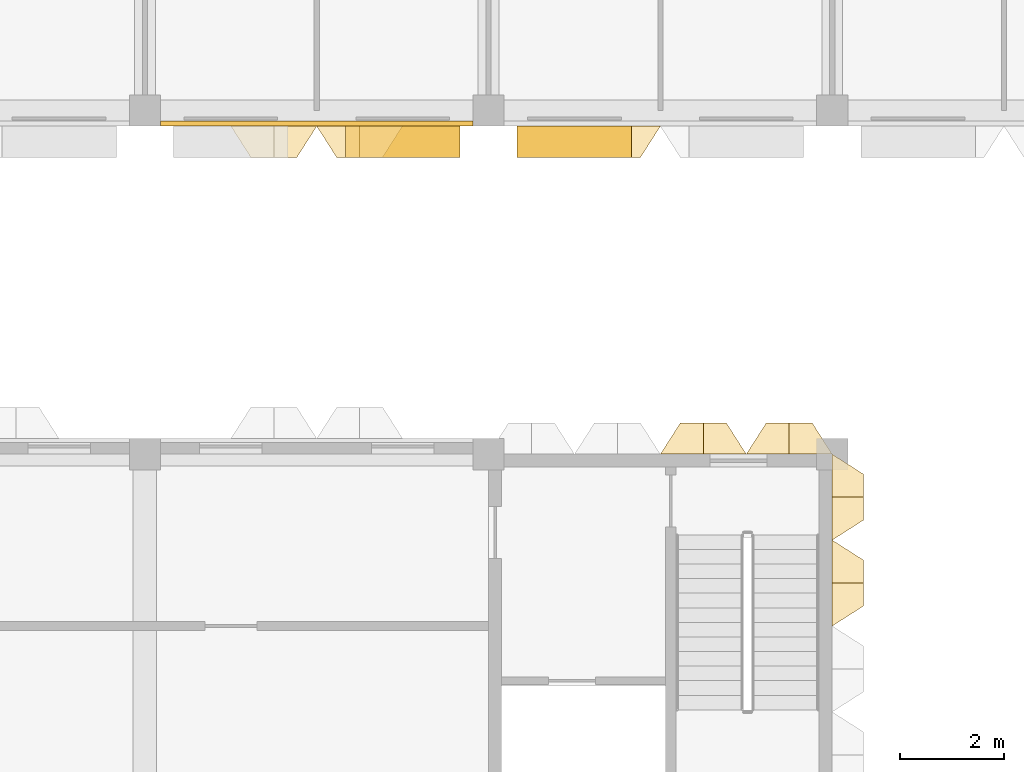
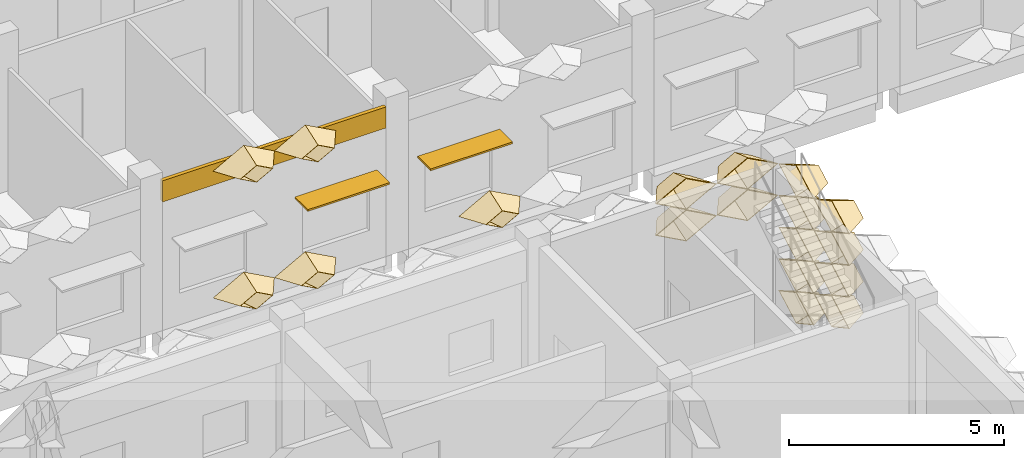
# One storey, part 71 of 87: 19 coverings, 2 shading devices.
"""IFC4 building model written with IfcOpenShell, lengths in metres."""

from ifc_helpers import new_model, entity, si_unit, direction, frame, frame_2d, origin, origin_2d, place, context, subcontext, project, spatial, rectangle, extrude, material, layer, layer_set, type_object, element, save


model = new_model("IFC4")

# Units and contexts
model_context = context("Model", 3, precision=1e-05, world=origin(), true_north=direction((0.0, 1.0)))
body_context = subcontext(model_context, "Body", "Model", "MODEL_VIEW")
ifc_project = project(units=[si_unit("LENGTHUNIT", "METRE"), si_unit("AREAUNIT", "SQUARE_METRE"), si_unit("VOLUMEUNIT", "CUBIC_METRE"), si_unit("PLANEANGLEUNIT", "RADIAN"), si_unit("MASSUNIT", "GRAM", prefix="KILO")], contexts=[model_context])

# Site, building, storey
site_placement = place(None, origin())
site = spatial("IfcSite", under=ifc_project, at=site_placement, CompositionType="ELEMENT")
building_placement = place(site_placement, origin())
building = spatial("IfcBuilding", under=site, at=building_placement, Name="Lantern Court Research Institute", CompositionType="ELEMENT")
storey_placement = place(building_placement, frame((0.0, 0.0, 5.39990234375)))
storey = spatial("IfcBuildingStorey", under=building, at=storey_placement, Name="L01", CompositionType="ELEMENT", Elevation=5.39990234375)

# Shading devices
ifc_material_1 = material(Name="Aluminium alloy 6063-T6", Category="aluminium")
ifc_layer_1 = layer(ifc_material_1, 0.050048828125)
ifc_layer_set_1 = layer_set([ifc_layer_1], Name="Aluminium alloy 6063-T6")
shading_device_type = type_object("IfcShadingDeviceType", Name="Brise-soleil blade 2200 x 600 x 50 aluminium", PredefinedType="USERDEFINED", material=ifc_layer_set_1)
for number, where, z_axis, x_axis, name in (
    (1, (18.14990234375, 81.89990234375, 2.5), (0.0, 0.0, 1.0), (-1.0, 0.0, 0.0), "Brise-soleil blade L01 S"),
    (2, (21.449951171875, 81.89990234375, 2.5), (0.0, 0.0, 1.0), (-1.0, 0.0, 0.0), "Brise-soleil blade L01 S"),
):
    element("IfcShadingDevice", number, at=place(storey_placement, frame(where, z_axis=z_axis, x_axis=x_axis)), inside=storey, type_object=shading_device_type, Name=name, ObjectType="LOUVRE", PredefinedType="USERDEFINED", context=body_context, shape_type="SweptSolid", body=[
        extrude(rectangle(XDim=2.199951171875, YDim=0.60009765625, at=origin_2d()), origin(), (0.0, 0.0, 1.0), 0.050048828125),
    ])

# Coverings
ifc_material_2 = material(Name="Aluminium composite panel with mineral wool insulation", Category="aluminium")
ifc_layer_2 = layer(ifc_material_2, 0.10009765625)
ifc_layer_set_2 = layer_set([ifc_layer_2], Name="Aluminium composite panel with mineral wool insulation")
covering_type_1 = type_object("IfcCoveringType", Name="Edge fascia panel 100 aluminium faced", PredefinedType="CLADDING", material=ifc_layer_set_2)
covering_1_placement = place(storey_placement, frame((19.5, 82.25, 3.650146484375), z_axis=(0.0, 0.0, 1.0), x_axis=(-1.0, 0.0, 0.0)))
element("IfcCovering", 3, at=covering_1_placement, inside=storey, type_object=covering_type_1, Name="Edge fascia V6S L01 03", PredefinedType="CLADDING", context=body_context, shape_type="SweptSolid", body=[
    extrude(rectangle(XDim=6.0, YDim=0.10009765625, at=frame_2d((3.0, 0.0))), origin(), (0.0, 0.0, 1.0), 0.599853515625),
])
ifc_material_3 = material(Name="Anodised aluminium", Category="aluminium")
ifc_layer_3 = layer(ifc_material_3, 0.01611328125)
ifc_layer_set_3 = layer_set([ifc_layer_3], Name="Anodised aluminium")
covering_type_2 = type_object("IfcCoveringType", Name="Fin cassette 1650 x 900 x 600 aluminium", PredefinedType="CLADDING", material=ifc_layer_set_3)
covering_2_placement = place(storey_placement, frame((26.39990234375, 75.074951171875, 0.4501953125), z_axis=(1.0, 0.0, 0.0), x_axis=(0.0, 1.0, 0.0)))
cartesian_point_1 = entity("IfcCartesianPoint", [0.824951171875, 0.0])
cartesian_point_2 = entity("IfcCartesianPoint", [0.79150390625, 0.0])
cartesian_point_3 = entity("IfcCartesianPoint", [0.44189453125, 0.0])
cartesian_point_4 = entity("IfcCartesianPoint", [0.43359375, 0.0])
element("IfcCovering", 4, at=covering_2_placement, inside=storey, type_object=covering_type_2, Name="Fin cassette V3E-L01 1.46", PredefinedType="CLADDING", context=body_context, shape_type="SweptSolid", body=[
    entity("IfcExtrudedAreaSolidTapered", entity("IfcArbitraryProfileDefWithVoids", "AREA", None, entity("IfcPolyline", [cartesian_point_1, entity("IfcCartesianPoint", [0.0, 0.449951171875]), entity("IfcCartesianPoint", [-0.824951171875, 0.0]), entity("IfcCartesianPoint", [0.0, -0.449951171875]), cartesian_point_1]), [entity("IfcPolyline", [cartesian_point_2, entity("IfcCartesianPoint", [0.0, 0.431884765625]), entity("IfcCartesianPoint", [-0.79150390625, 0.0]), entity("IfcCartesianPoint", [0.0, -0.431884765625]), cartesian_point_2])]), entity("IfcAxis2Placement3D", entity("IfcCartesianPoint", [0.0, 0.0, 0.0])), entity("IfcDirection", [0.0, 0.0, 1.0]), 0.60009765625, entity("IfcArbitraryProfileDefWithVoids", "AREA", None, entity("IfcPolyline", [cartesian_point_3, entity("IfcCartesianPoint", [0.0, 0.240966796875]), entity("IfcCartesianPoint", [-0.44189453125, 0.0]), entity("IfcCartesianPoint", [0.0, -0.240966796875]), cartesian_point_3]), [entity("IfcPolyline", [cartesian_point_4, entity("IfcCartesianPoint", [0.0, 0.236572265625]), entity("IfcCartesianPoint", [-0.43359375, 0.0]), entity("IfcCartesianPoint", [0.0, -0.236572265625]), cartesian_point_4])])),
])
covering_3_placement = place(storey_placement, frame((26.39990234375, 73.425048828125, 1.35009765625), z_axis=(1.0, 0.0, 0.0), x_axis=(0.0, 1.0, 0.0)))
cartesian_point_5 = entity("IfcCartesianPoint", [0.824951171875, 0.0])
cartesian_point_6 = entity("IfcCartesianPoint", [0.79150390625, 0.0])
cartesian_point_7 = entity("IfcCartesianPoint", [0.44189453125, 0.0])
cartesian_point_8 = entity("IfcCartesianPoint", [0.43359375, 0.0])
element("IfcCovering", 5, at=covering_3_placement, inside=storey, type_object=covering_type_2, Name="Fin cassette V3E-L01 2.45", PredefinedType="CLADDING", context=body_context, shape_type="SweptSolid", body=[
    entity("IfcExtrudedAreaSolidTapered", entity("IfcArbitraryProfileDefWithVoids", "AREA", None, entity("IfcPolyline", [cartesian_point_5, entity("IfcCartesianPoint", [0.0, 0.449951171875]), entity("IfcCartesianPoint", [-0.824951171875, 0.0]), entity("IfcCartesianPoint", [0.0, -0.449951171875]), cartesian_point_5]), [entity("IfcPolyline", [cartesian_point_6, entity("IfcCartesianPoint", [0.0, 0.431884765625]), entity("IfcCartesianPoint", [-0.79150390625, 0.0]), entity("IfcCartesianPoint", [0.0, -0.431884765625]), cartesian_point_6])]), entity("IfcAxis2Placement3D", entity("IfcCartesianPoint", [0.0, 0.0, 0.0])), entity("IfcDirection", [0.0, 0.0, 1.0]), 0.60009765625, entity("IfcArbitraryProfileDefWithVoids", "AREA", None, entity("IfcPolyline", [cartesian_point_7, entity("IfcCartesianPoint", [0.0, 0.240966796875]), entity("IfcCartesianPoint", [-0.44189453125, 0.0]), entity("IfcCartesianPoint", [0.0, -0.240966796875]), cartesian_point_7]), [entity("IfcPolyline", [cartesian_point_8, entity("IfcCartesianPoint", [0.0, 0.236572265625]), entity("IfcCartesianPoint", [-0.43359375, 0.0]), entity("IfcCartesianPoint", [0.0, -0.236572265625]), cartesian_point_8])])),
])
covering_4_placement = place(storey_placement, frame((26.39990234375, 75.074951171875, 1.35009765625), z_axis=(1.0, 0.0, 0.0), x_axis=(0.0, 1.0, 0.0)))
cartesian_point_9 = entity("IfcCartesianPoint", [0.824951171875, 0.0])
cartesian_point_10 = entity("IfcCartesianPoint", [0.79150390625, 0.0])
cartesian_point_11 = entity("IfcCartesianPoint", [0.44189453125, 0.0])
cartesian_point_12 = entity("IfcCartesianPoint", [0.43359375, 0.0])
element("IfcCovering", 6, at=covering_4_placement, inside=storey, type_object=covering_type_2, Name="Fin cassette V3E-L01 2.46", PredefinedType="CLADDING", context=body_context, shape_type="SweptSolid", body=[
    entity("IfcExtrudedAreaSolidTapered", entity("IfcArbitraryProfileDefWithVoids", "AREA", None, entity("IfcPolyline", [cartesian_point_9, entity("IfcCartesianPoint", [0.0, 0.449951171875]), entity("IfcCartesianPoint", [-0.824951171875, 0.0]), entity("IfcCartesianPoint", [0.0, -0.449951171875]), cartesian_point_9]), [entity("IfcPolyline", [cartesian_point_10, entity("IfcCartesianPoint", [0.0, 0.431884765625]), entity("IfcCartesianPoint", [-0.79150390625, 0.0]), entity("IfcCartesianPoint", [0.0, -0.431884765625]), cartesian_point_10])]), entity("IfcAxis2Placement3D", entity("IfcCartesianPoint", [0.0, 0.0, 0.0])), entity("IfcDirection", [0.0, 0.0, 1.0]), 0.60009765625, entity("IfcArbitraryProfileDefWithVoids", "AREA", None, entity("IfcPolyline", [cartesian_point_11, entity("IfcCartesianPoint", [0.0, 0.240966796875]), entity("IfcCartesianPoint", [-0.44189453125, 0.0]), entity("IfcCartesianPoint", [0.0, -0.240966796875]), cartesian_point_11]), [entity("IfcPolyline", [cartesian_point_12, entity("IfcCartesianPoint", [0.0, 0.236572265625]), entity("IfcCartesianPoint", [-0.43359375, 0.0]), entity("IfcCartesianPoint", [0.0, -0.236572265625]), cartesian_point_12])])),
])
covering_5_placement = place(storey_placement, frame((26.39990234375, 73.425048828125, 2.25), z_axis=(1.0, 0.0, 0.0), x_axis=(0.0, 1.0, 0.0)))
cartesian_point_13 = entity("IfcCartesianPoint", [0.824951171875, 0.0])
cartesian_point_14 = entity("IfcCartesianPoint", [0.79150390625, 0.0])
cartesian_point_15 = entity("IfcCartesianPoint", [0.44189453125, 0.0])
cartesian_point_16 = entity("IfcCartesianPoint", [0.43359375, 0.0])
element("IfcCovering", 7, at=covering_5_placement, inside=storey, type_object=covering_type_2, Name="Fin cassette V3E-L01 3.45", PredefinedType="CLADDING", context=body_context, shape_type="SweptSolid", body=[
    entity("IfcExtrudedAreaSolidTapered", entity("IfcArbitraryProfileDefWithVoids", "AREA", None, entity("IfcPolyline", [cartesian_point_13, entity("IfcCartesianPoint", [0.0, 0.449951171875]), entity("IfcCartesianPoint", [-0.824951171875, 0.0]), entity("IfcCartesianPoint", [0.0, -0.449951171875]), cartesian_point_13]), [entity("IfcPolyline", [cartesian_point_14, entity("IfcCartesianPoint", [0.0, 0.431884765625]), entity("IfcCartesianPoint", [-0.79150390625, 0.0]), entity("IfcCartesianPoint", [0.0, -0.431884765625]), cartesian_point_14])]), entity("IfcAxis2Placement3D", entity("IfcCartesianPoint", [0.0, 0.0, 0.0])), entity("IfcDirection", [0.0, 0.0, 1.0]), 0.60009765625, entity("IfcArbitraryProfileDefWithVoids", "AREA", None, entity("IfcPolyline", [cartesian_point_15, entity("IfcCartesianPoint", [0.0, 0.240966796875]), entity("IfcCartesianPoint", [-0.44189453125, 0.0]), entity("IfcCartesianPoint", [0.0, -0.240966796875]), cartesian_point_15]), [entity("IfcPolyline", [cartesian_point_16, entity("IfcCartesianPoint", [0.0, 0.236572265625]), entity("IfcCartesianPoint", [-0.43359375, 0.0]), entity("IfcCartesianPoint", [0.0, -0.236572265625]), cartesian_point_16])])),
])
covering_6_placement = place(storey_placement, frame((26.39990234375, 75.074951171875, 2.25), z_axis=(1.0, 0.0, 0.0), x_axis=(0.0, 1.0, 0.0)))
cartesian_point_17 = entity("IfcCartesianPoint", [0.824951171875, 0.0])
cartesian_point_18 = entity("IfcCartesianPoint", [0.79150390625, 0.0])
cartesian_point_19 = entity("IfcCartesianPoint", [0.44189453125, 0.0])
cartesian_point_20 = entity("IfcCartesianPoint", [0.43359375, 0.0])
element("IfcCovering", 8, at=covering_6_placement, inside=storey, type_object=covering_type_2, Name="Fin cassette V3E-L01 3.46", PredefinedType="CLADDING", context=body_context, shape_type="SweptSolid", body=[
    entity("IfcExtrudedAreaSolidTapered", entity("IfcArbitraryProfileDefWithVoids", "AREA", None, entity("IfcPolyline", [cartesian_point_17, entity("IfcCartesianPoint", [0.0, 0.449951171875]), entity("IfcCartesianPoint", [-0.824951171875, 0.0]), entity("IfcCartesianPoint", [0.0, -0.449951171875]), cartesian_point_17]), [entity("IfcPolyline", [cartesian_point_18, entity("IfcCartesianPoint", [0.0, 0.431884765625]), entity("IfcCartesianPoint", [-0.79150390625, 0.0]), entity("IfcCartesianPoint", [0.0, -0.431884765625]), cartesian_point_18])]), entity("IfcAxis2Placement3D", entity("IfcCartesianPoint", [0.0, 0.0, 0.0])), entity("IfcDirection", [0.0, 0.0, 1.0]), 0.60009765625, entity("IfcArbitraryProfileDefWithVoids", "AREA", None, entity("IfcPolyline", [cartesian_point_19, entity("IfcCartesianPoint", [0.0, 0.240966796875]), entity("IfcCartesianPoint", [-0.44189453125, 0.0]), entity("IfcCartesianPoint", [0.0, -0.240966796875]), cartesian_point_19]), [entity("IfcPolyline", [cartesian_point_20, entity("IfcCartesianPoint", [0.0, 0.236572265625]), entity("IfcCartesianPoint", [-0.43359375, 0.0]), entity("IfcCartesianPoint", [0.0, -0.236572265625]), cartesian_point_20])])),
])
covering_7_placement = place(storey_placement, frame((26.39990234375, 73.425048828125, 3.150146484375), z_axis=(1.0, 0.0, 0.0), x_axis=(0.0, 1.0, 0.0)))
cartesian_point_21 = entity("IfcCartesianPoint", [0.824951171875, 0.0])
cartesian_point_22 = entity("IfcCartesianPoint", [0.79150390625, 0.0])
cartesian_point_23 = entity("IfcCartesianPoint", [0.44189453125, 0.0])
cartesian_point_24 = entity("IfcCartesianPoint", [0.43359375, 0.0])
element("IfcCovering", 9, at=covering_7_placement, inside=storey, type_object=covering_type_2, Name="Fin cassette V3E-L01 4.45", PredefinedType="CLADDING", context=body_context, shape_type="SweptSolid", body=[
    entity("IfcExtrudedAreaSolidTapered", entity("IfcArbitraryProfileDefWithVoids", "AREA", None, entity("IfcPolyline", [cartesian_point_21, entity("IfcCartesianPoint", [0.0, 0.449951171875]), entity("IfcCartesianPoint", [-0.824951171875, 0.0]), entity("IfcCartesianPoint", [0.0, -0.449951171875]), cartesian_point_21]), [entity("IfcPolyline", [cartesian_point_22, entity("IfcCartesianPoint", [0.0, 0.431884765625]), entity("IfcCartesianPoint", [-0.79150390625, 0.0]), entity("IfcCartesianPoint", [0.0, -0.431884765625]), cartesian_point_22])]), entity("IfcAxis2Placement3D", entity("IfcCartesianPoint", [0.0, 0.0, 0.0])), entity("IfcDirection", [0.0, 0.0, 1.0]), 0.60009765625, entity("IfcArbitraryProfileDefWithVoids", "AREA", None, entity("IfcPolyline", [cartesian_point_23, entity("IfcCartesianPoint", [0.0, 0.240966796875]), entity("IfcCartesianPoint", [-0.44189453125, 0.0]), entity("IfcCartesianPoint", [0.0, -0.240966796875]), cartesian_point_23]), [entity("IfcPolyline", [cartesian_point_24, entity("IfcCartesianPoint", [0.0, 0.236572265625]), entity("IfcCartesianPoint", [-0.43359375, 0.0]), entity("IfcCartesianPoint", [0.0, -0.236572265625]), cartesian_point_24])])),
])
covering_8_placement = place(storey_placement, frame((26.39990234375, 75.074951171875, 3.150146484375), z_axis=(1.0, 0.0, 0.0), x_axis=(0.0, 1.0, 0.0)))
cartesian_point_25 = entity("IfcCartesianPoint", [0.824951171875, 0.0])
cartesian_point_26 = entity("IfcCartesianPoint", [0.79150390625, 0.0])
cartesian_point_27 = entity("IfcCartesianPoint", [0.44189453125, 0.0])
cartesian_point_28 = entity("IfcCartesianPoint", [0.43359375, 0.0])
element("IfcCovering", 10, at=covering_8_placement, inside=storey, type_object=covering_type_2, Name="Fin cassette V3E-L01 4.46", PredefinedType="CLADDING", context=body_context, shape_type="SweptSolid", body=[
    entity("IfcExtrudedAreaSolidTapered", entity("IfcArbitraryProfileDefWithVoids", "AREA", None, entity("IfcPolyline", [cartesian_point_25, entity("IfcCartesianPoint", [0.0, 0.449951171875]), entity("IfcCartesianPoint", [-0.824951171875, 0.0]), entity("IfcCartesianPoint", [0.0, -0.449951171875]), cartesian_point_25]), [entity("IfcPolyline", [cartesian_point_26, entity("IfcCartesianPoint", [0.0, 0.431884765625]), entity("IfcCartesianPoint", [-0.79150390625, 0.0]), entity("IfcCartesianPoint", [0.0, -0.431884765625]), cartesian_point_26])]), entity("IfcAxis2Placement3D", entity("IfcCartesianPoint", [0.0, 0.0, 0.0])), entity("IfcDirection", [0.0, 0.0, 1.0]), 0.60009765625, entity("IfcArbitraryProfileDefWithVoids", "AREA", None, entity("IfcPolyline", [cartesian_point_27, entity("IfcCartesianPoint", [0.0, 0.240966796875]), entity("IfcCartesianPoint", [-0.44189453125, 0.0]), entity("IfcCartesianPoint", [0.0, -0.240966796875]), cartesian_point_27]), [entity("IfcPolyline", [cartesian_point_28, entity("IfcCartesianPoint", [0.0, 0.236572265625]), entity("IfcCartesianPoint", [-0.43359375, 0.0]), entity("IfcCartesianPoint", [0.0, -0.236572265625]), cartesian_point_28])])),
])
covering_9_placement = place(storey_placement, frame((26.39990234375, 73.425048828125, 4.050048828125), z_axis=(1.0, 0.0, 0.0), x_axis=(0.0, 1.0, 0.0)))
cartesian_point_29 = entity("IfcCartesianPoint", [0.824951171875, 0.0])
cartesian_point_30 = entity("IfcCartesianPoint", [0.79150390625, 0.0])
cartesian_point_31 = entity("IfcCartesianPoint", [0.44189453125, 0.0])
cartesian_point_32 = entity("IfcCartesianPoint", [0.43359375, 0.0])
element("IfcCovering", 11, at=covering_9_placement, inside=storey, type_object=covering_type_2, Name="Fin cassette V3E-L01 5.45", PredefinedType="CLADDING", context=body_context, shape_type="SweptSolid", body=[
    entity("IfcExtrudedAreaSolidTapered", entity("IfcArbitraryProfileDefWithVoids", "AREA", None, entity("IfcPolyline", [cartesian_point_29, entity("IfcCartesianPoint", [0.0, 0.449951171875]), entity("IfcCartesianPoint", [-0.824951171875, 0.0]), entity("IfcCartesianPoint", [0.0, -0.449951171875]), cartesian_point_29]), [entity("IfcPolyline", [cartesian_point_30, entity("IfcCartesianPoint", [0.0, 0.431884765625]), entity("IfcCartesianPoint", [-0.79150390625, 0.0]), entity("IfcCartesianPoint", [0.0, -0.431884765625]), cartesian_point_30])]), entity("IfcAxis2Placement3D", entity("IfcCartesianPoint", [0.0, 0.0, 0.0])), entity("IfcDirection", [0.0, 0.0, 1.0]), 0.60009765625, entity("IfcArbitraryProfileDefWithVoids", "AREA", None, entity("IfcPolyline", [cartesian_point_31, entity("IfcCartesianPoint", [0.0, 0.240966796875]), entity("IfcCartesianPoint", [-0.44189453125, 0.0]), entity("IfcCartesianPoint", [0.0, -0.240966796875]), cartesian_point_31]), [entity("IfcPolyline", [cartesian_point_32, entity("IfcCartesianPoint", [0.0, 0.236572265625]), entity("IfcCartesianPoint", [-0.43359375, 0.0]), entity("IfcCartesianPoint", [0.0, -0.236572265625]), cartesian_point_32])])),
])
covering_10_placement = place(storey_placement, frame((26.39990234375, 75.074951171875, 4.050048828125), z_axis=(1.0, 0.0, 0.0), x_axis=(0.0, 1.0, 0.0)))
cartesian_point_33 = entity("IfcCartesianPoint", [0.824951171875, 0.0])
cartesian_point_34 = entity("IfcCartesianPoint", [0.79150390625, 0.0])
cartesian_point_35 = entity("IfcCartesianPoint", [0.44189453125, 0.0])
cartesian_point_36 = entity("IfcCartesianPoint", [0.43359375, 0.0])
element("IfcCovering", 12, at=covering_10_placement, inside=storey, type_object=covering_type_2, Name="Fin cassette V3E-L01 5.46", PredefinedType="CLADDING", context=body_context, shape_type="SweptSolid", body=[
    entity("IfcExtrudedAreaSolidTapered", entity("IfcArbitraryProfileDefWithVoids", "AREA", None, entity("IfcPolyline", [cartesian_point_33, entity("IfcCartesianPoint", [0.0, 0.449951171875]), entity("IfcCartesianPoint", [-0.824951171875, 0.0]), entity("IfcCartesianPoint", [0.0, -0.449951171875]), cartesian_point_33]), [entity("IfcPolyline", [cartesian_point_34, entity("IfcCartesianPoint", [0.0, 0.431884765625]), entity("IfcCartesianPoint", [-0.79150390625, 0.0]), entity("IfcCartesianPoint", [0.0, -0.431884765625]), cartesian_point_34])]), entity("IfcAxis2Placement3D", entity("IfcCartesianPoint", [0.0, 0.0, 0.0])), entity("IfcDirection", [0.0, 0.0, 1.0]), 0.60009765625, entity("IfcArbitraryProfileDefWithVoids", "AREA", None, entity("IfcPolyline", [cartesian_point_35, entity("IfcCartesianPoint", [0.0, 0.240966796875]), entity("IfcCartesianPoint", [-0.44189453125, 0.0]), entity("IfcCartesianPoint", [0.0, -0.240966796875]), cartesian_point_35]), [entity("IfcPolyline", [cartesian_point_36, entity("IfcCartesianPoint", [0.0, 0.236572265625]), entity("IfcCartesianPoint", [-0.43359375, 0.0]), entity("IfcCartesianPoint", [0.0, -0.236572265625]), cartesian_point_36])])),
])
covering_11_placement = place(storey_placement, frame((23.925048828125, 75.89990234375, 3.150146484375), z_axis=(0.0, 1.0, 0.0), x_axis=(-1.0, 0.0, 0.0)))
cartesian_point_37 = entity("IfcCartesianPoint", [0.824951171875, 0.0])
cartesian_point_38 = entity("IfcCartesianPoint", [0.79150390625, 0.0])
cartesian_point_39 = entity("IfcCartesianPoint", [0.44189453125, 0.0])
cartesian_point_40 = entity("IfcCartesianPoint", [0.43359375, 0.0])
element("IfcCovering", 13, at=covering_11_placement, inside=storey, type_object=covering_type_2, Name="Fin cassette V3N-L01 4.15", PredefinedType="CLADDING", context=body_context, shape_type="SweptSolid", body=[
    entity("IfcExtrudedAreaSolidTapered", entity("IfcArbitraryProfileDefWithVoids", "AREA", None, entity("IfcPolyline", [cartesian_point_37, entity("IfcCartesianPoint", [0.0, 0.449951171875]), entity("IfcCartesianPoint", [-0.824951171875, 0.0]), entity("IfcCartesianPoint", [0.0, -0.449951171875]), cartesian_point_37]), [entity("IfcPolyline", [cartesian_point_38, entity("IfcCartesianPoint", [0.0, 0.431884765625]), entity("IfcCartesianPoint", [-0.79150390625, 0.0]), entity("IfcCartesianPoint", [0.0, -0.431884765625]), cartesian_point_38])]), entity("IfcAxis2Placement3D", entity("IfcCartesianPoint", [0.0, 0.0, 0.0])), entity("IfcDirection", [0.0, 0.0, 1.0]), 0.60009765625, entity("IfcArbitraryProfileDefWithVoids", "AREA", None, entity("IfcPolyline", [cartesian_point_39, entity("IfcCartesianPoint", [0.0, 0.240966796875]), entity("IfcCartesianPoint", [-0.44189453125, 0.0]), entity("IfcCartesianPoint", [0.0, -0.240966796875]), cartesian_point_39]), [entity("IfcPolyline", [cartesian_point_40, entity("IfcCartesianPoint", [0.0, 0.236572265625]), entity("IfcCartesianPoint", [-0.43359375, 0.0]), entity("IfcCartesianPoint", [0.0, -0.236572265625]), cartesian_point_40])])),
])
covering_12_placement = place(storey_placement, frame((25.574951171875, 75.89990234375, 3.150146484375), z_axis=(0.0, 1.0, 0.0), x_axis=(-1.0, 0.0, 0.0)))
cartesian_point_41 = entity("IfcCartesianPoint", [0.824951171875, 0.0])
cartesian_point_42 = entity("IfcCartesianPoint", [0.79150390625, 0.0])
cartesian_point_43 = entity("IfcCartesianPoint", [0.44189453125, 0.0])
cartesian_point_44 = entity("IfcCartesianPoint", [0.43359375, 0.0])
element("IfcCovering", 14, at=covering_12_placement, inside=storey, type_object=covering_type_2, Name="Fin cassette V3N-L01 4.16", PredefinedType="CLADDING", context=body_context, shape_type="SweptSolid", body=[
    entity("IfcExtrudedAreaSolidTapered", entity("IfcArbitraryProfileDefWithVoids", "AREA", None, entity("IfcPolyline", [cartesian_point_41, entity("IfcCartesianPoint", [0.0, 0.449951171875]), entity("IfcCartesianPoint", [-0.824951171875, 0.0]), entity("IfcCartesianPoint", [0.0, -0.449951171875]), cartesian_point_41]), [entity("IfcPolyline", [cartesian_point_42, entity("IfcCartesianPoint", [0.0, 0.431884765625]), entity("IfcCartesianPoint", [-0.79150390625, 0.0]), entity("IfcCartesianPoint", [0.0, -0.431884765625]), cartesian_point_42])]), entity("IfcAxis2Placement3D", entity("IfcCartesianPoint", [0.0, 0.0, 0.0])), entity("IfcDirection", [0.0, 0.0, 1.0]), 0.60009765625, entity("IfcArbitraryProfileDefWithVoids", "AREA", None, entity("IfcPolyline", [cartesian_point_43, entity("IfcCartesianPoint", [0.0, 0.240966796875]), entity("IfcCartesianPoint", [-0.44189453125, 0.0]), entity("IfcCartesianPoint", [0.0, -0.240966796875]), cartesian_point_43]), [entity("IfcPolyline", [cartesian_point_44, entity("IfcCartesianPoint", [0.0, 0.236572265625]), entity("IfcCartesianPoint", [-0.43359375, 0.0]), entity("IfcCartesianPoint", [0.0, -0.236572265625]), cartesian_point_44])])),
])
covering_13_placement = place(storey_placement, frame((23.925048828125, 75.89990234375, 4.050048828125), z_axis=(0.0, 1.0, 0.0), x_axis=(-1.0, 0.0, 0.0)))
cartesian_point_45 = entity("IfcCartesianPoint", [0.824951171875, 0.0])
cartesian_point_46 = entity("IfcCartesianPoint", [0.79150390625, 0.0])
cartesian_point_47 = entity("IfcCartesianPoint", [0.44189453125, 0.0])
cartesian_point_48 = entity("IfcCartesianPoint", [0.43359375, 0.0])
element("IfcCovering", 15, at=covering_13_placement, inside=storey, type_object=covering_type_2, Name="Fin cassette V3N-L01 5.15", PredefinedType="CLADDING", context=body_context, shape_type="SweptSolid", body=[
    entity("IfcExtrudedAreaSolidTapered", entity("IfcArbitraryProfileDefWithVoids", "AREA", None, entity("IfcPolyline", [cartesian_point_45, entity("IfcCartesianPoint", [0.0, 0.449951171875]), entity("IfcCartesianPoint", [-0.824951171875, 0.0]), entity("IfcCartesianPoint", [0.0, -0.449951171875]), cartesian_point_45]), [entity("IfcPolyline", [cartesian_point_46, entity("IfcCartesianPoint", [0.0, 0.431884765625]), entity("IfcCartesianPoint", [-0.79150390625, 0.0]), entity("IfcCartesianPoint", [0.0, -0.431884765625]), cartesian_point_46])]), entity("IfcAxis2Placement3D", entity("IfcCartesianPoint", [0.0, 0.0, 0.0])), entity("IfcDirection", [0.0, 0.0, 1.0]), 0.60009765625, entity("IfcArbitraryProfileDefWithVoids", "AREA", None, entity("IfcPolyline", [cartesian_point_47, entity("IfcCartesianPoint", [0.0, 0.240966796875]), entity("IfcCartesianPoint", [-0.44189453125, 0.0]), entity("IfcCartesianPoint", [0.0, -0.240966796875]), cartesian_point_47]), [entity("IfcPolyline", [cartesian_point_48, entity("IfcCartesianPoint", [0.0, 0.236572265625]), entity("IfcCartesianPoint", [-0.43359375, 0.0]), entity("IfcCartesianPoint", [0.0, -0.236572265625]), cartesian_point_48])])),
])
covering_14_placement = place(storey_placement, frame((25.574951171875, 75.89990234375, 4.050048828125), z_axis=(0.0, 1.0, 0.0), x_axis=(-1.0, 0.0, 0.0)))
cartesian_point_49 = entity("IfcCartesianPoint", [0.824951171875, 0.0])
cartesian_point_50 = entity("IfcCartesianPoint", [0.79150390625, 0.0])
cartesian_point_51 = entity("IfcCartesianPoint", [0.44189453125, 0.0])
cartesian_point_52 = entity("IfcCartesianPoint", [0.43359375, 0.0])
element("IfcCovering", 16, at=covering_14_placement, inside=storey, type_object=covering_type_2, Name="Fin cassette V3N-L01 5.16", PredefinedType="CLADDING", context=body_context, shape_type="SweptSolid", body=[
    entity("IfcExtrudedAreaSolidTapered", entity("IfcArbitraryProfileDefWithVoids", "AREA", None, entity("IfcPolyline", [cartesian_point_49, entity("IfcCartesianPoint", [0.0, 0.449951171875]), entity("IfcCartesianPoint", [-0.824951171875, 0.0]), entity("IfcCartesianPoint", [0.0, -0.449951171875]), cartesian_point_49]), [entity("IfcPolyline", [cartesian_point_50, entity("IfcCartesianPoint", [0.0, 0.431884765625]), entity("IfcCartesianPoint", [-0.79150390625, 0.0]), entity("IfcCartesianPoint", [0.0, -0.431884765625]), cartesian_point_50])]), entity("IfcAxis2Placement3D", entity("IfcCartesianPoint", [0.0, 0.0, 0.0])), entity("IfcDirection", [0.0, 0.0, 1.0]), 0.60009765625, entity("IfcArbitraryProfileDefWithVoids", "AREA", None, entity("IfcPolyline", [cartesian_point_51, entity("IfcCartesianPoint", [0.0, 0.240966796875]), entity("IfcCartesianPoint", [-0.44189453125, 0.0]), entity("IfcCartesianPoint", [0.0, -0.240966796875]), cartesian_point_51]), [entity("IfcPolyline", [cartesian_point_52, entity("IfcCartesianPoint", [0.0, 0.236572265625]), entity("IfcCartesianPoint", [-0.43359375, 0.0]), entity("IfcCartesianPoint", [0.0, -0.236572265625]), cartesian_point_52])])),
])
covering_15_placement = place(storey_placement, frame((15.675048828125, 82.199951171875, 0.4501953125), z_axis=(0.0, -1.0, 0.0), x_axis=(1.0, 0.0, 0.0)))
cartesian_point_53 = entity("IfcCartesianPoint", [0.824951171875, 0.0])
cartesian_point_54 = entity("IfcCartesianPoint", [0.79150390625, 0.0])
cartesian_point_55 = entity("IfcCartesianPoint", [0.44189453125, 0.0])
cartesian_point_56 = entity("IfcCartesianPoint", [0.43359375, 0.0])
element("IfcCovering", 17, at=covering_15_placement, inside=storey, type_object=covering_type_2, Name="Fin cassette V6S-L01 1.10", PredefinedType="CLADDING", context=body_context, shape_type="SweptSolid", body=[
    entity("IfcExtrudedAreaSolidTapered", entity("IfcArbitraryProfileDefWithVoids", "AREA", None, entity("IfcPolyline", [cartesian_point_53, entity("IfcCartesianPoint", [0.0, 0.449951171875]), entity("IfcCartesianPoint", [-0.824951171875, 0.0]), entity("IfcCartesianPoint", [0.0, -0.449951171875]), cartesian_point_53]), [entity("IfcPolyline", [cartesian_point_54, entity("IfcCartesianPoint", [0.0, 0.431884765625]), entity("IfcCartesianPoint", [-0.79150390625, 0.0]), entity("IfcCartesianPoint", [0.0, -0.431884765625]), cartesian_point_54])]), entity("IfcAxis2Placement3D", entity("IfcCartesianPoint", [0.0, 0.0, 0.0])), entity("IfcDirection", [0.0, 0.0, 1.0]), 0.60009765625, entity("IfcArbitraryProfileDefWithVoids", "AREA", None, entity("IfcPolyline", [cartesian_point_55, entity("IfcCartesianPoint", [0.0, 0.240966796875]), entity("IfcCartesianPoint", [-0.44189453125, 0.0]), entity("IfcCartesianPoint", [0.0, -0.240966796875]), cartesian_point_55]), [entity("IfcPolyline", [cartesian_point_56, entity("IfcCartesianPoint", [0.0, 0.236572265625]), entity("IfcCartesianPoint", [-0.43359375, 0.0]), entity("IfcCartesianPoint", [0.0, -0.236572265625]), cartesian_point_56])])),
])
covering_16_placement = place(storey_placement, frame((17.324951171875, 82.199951171875, 0.4501953125), z_axis=(0.0, -1.0, 0.0), x_axis=(1.0, 0.0, 0.0)))
cartesian_point_57 = entity("IfcCartesianPoint", [0.824951171875, 0.0])
cartesian_point_58 = entity("IfcCartesianPoint", [0.79150390625, 0.0])
cartesian_point_59 = entity("IfcCartesianPoint", [0.44189453125, 0.0])
cartesian_point_60 = entity("IfcCartesianPoint", [0.43359375, 0.0])
element("IfcCovering", 18, at=covering_16_placement, inside=storey, type_object=covering_type_2, Name="Fin cassette V6S-L01 1.11", PredefinedType="CLADDING", context=body_context, shape_type="SweptSolid", body=[
    entity("IfcExtrudedAreaSolidTapered", entity("IfcArbitraryProfileDefWithVoids", "AREA", None, entity("IfcPolyline", [cartesian_point_57, entity("IfcCartesianPoint", [0.0, 0.449951171875]), entity("IfcCartesianPoint", [-0.824951171875, 0.0]), entity("IfcCartesianPoint", [0.0, -0.449951171875]), cartesian_point_57]), [entity("IfcPolyline", [cartesian_point_58, entity("IfcCartesianPoint", [0.0, 0.431884765625]), entity("IfcCartesianPoint", [-0.79150390625, 0.0]), entity("IfcCartesianPoint", [0.0, -0.431884765625]), cartesian_point_58])]), entity("IfcAxis2Placement3D", entity("IfcCartesianPoint", [0.0, 0.0, 0.0])), entity("IfcDirection", [0.0, 0.0, 1.0]), 0.60009765625, entity("IfcArbitraryProfileDefWithVoids", "AREA", None, entity("IfcPolyline", [cartesian_point_59, entity("IfcCartesianPoint", [0.0, 0.240966796875]), entity("IfcCartesianPoint", [-0.44189453125, 0.0]), entity("IfcCartesianPoint", [0.0, -0.240966796875]), cartesian_point_59]), [entity("IfcPolyline", [cartesian_point_60, entity("IfcCartesianPoint", [0.0, 0.236572265625]), entity("IfcCartesianPoint", [-0.43359375, 0.0]), entity("IfcCartesianPoint", [0.0, -0.236572265625]), cartesian_point_60])])),
])
covering_17_placement = place(storey_placement, frame((22.27490234375, 82.199951171875, 0.4501953125), z_axis=(0.0, -1.0, 0.0), x_axis=(1.0, 0.0, 0.0)))
cartesian_point_61 = entity("IfcCartesianPoint", [0.824951171875, 0.0])
cartesian_point_62 = entity("IfcCartesianPoint", [0.79150390625, 0.0])
cartesian_point_63 = entity("IfcCartesianPoint", [0.44189453125, 0.0])
cartesian_point_64 = entity("IfcCartesianPoint", [0.43359375, 0.0])
element("IfcCovering", 19, at=covering_17_placement, inside=storey, type_object=covering_type_2, Name="Fin cassette V6S-L01 1.14", PredefinedType="CLADDING", context=body_context, shape_type="SweptSolid", body=[
    entity("IfcExtrudedAreaSolidTapered", entity("IfcArbitraryProfileDefWithVoids", "AREA", None, entity("IfcPolyline", [cartesian_point_61, entity("IfcCartesianPoint", [0.0, 0.449951171875]), entity("IfcCartesianPoint", [-0.824951171875, 0.0]), entity("IfcCartesianPoint", [0.0, -0.449951171875]), cartesian_point_61]), [entity("IfcPolyline", [cartesian_point_62, entity("IfcCartesianPoint", [0.0, 0.431884765625]), entity("IfcCartesianPoint", [-0.79150390625, 0.0]), entity("IfcCartesianPoint", [0.0, -0.431884765625]), cartesian_point_62])]), entity("IfcAxis2Placement3D", entity("IfcCartesianPoint", [0.0, 0.0, 0.0])), entity("IfcDirection", [0.0, 0.0, 1.0]), 0.60009765625, entity("IfcArbitraryProfileDefWithVoids", "AREA", None, entity("IfcPolyline", [cartesian_point_63, entity("IfcCartesianPoint", [0.0, 0.240966796875]), entity("IfcCartesianPoint", [-0.44189453125, 0.0]), entity("IfcCartesianPoint", [0.0, -0.240966796875]), cartesian_point_63]), [entity("IfcPolyline", [cartesian_point_64, entity("IfcCartesianPoint", [0.0, 0.236572265625]), entity("IfcCartesianPoint", [-0.43359375, 0.0]), entity("IfcCartesianPoint", [0.0, -0.236572265625]), cartesian_point_64])])),
])
covering_18_placement = place(storey_placement, frame((15.675048828125, 82.199951171875, 4.050048828125), z_axis=(0.0, -1.0, 0.0), x_axis=(1.0, 0.0, 0.0)))
cartesian_point_65 = entity("IfcCartesianPoint", [0.824951171875, 0.0])
cartesian_point_66 = entity("IfcCartesianPoint", [0.79150390625, 0.0])
cartesian_point_67 = entity("IfcCartesianPoint", [0.44189453125, 0.0])
cartesian_point_68 = entity("IfcCartesianPoint", [0.43359375, 0.0])
element("IfcCovering", 20, at=covering_18_placement, inside=storey, type_object=covering_type_2, Name="Fin cassette V6S-L01 5.10", PredefinedType="CLADDING", context=body_context, shape_type="SweptSolid", body=[
    entity("IfcExtrudedAreaSolidTapered", entity("IfcArbitraryProfileDefWithVoids", "AREA", None, entity("IfcPolyline", [cartesian_point_65, entity("IfcCartesianPoint", [0.0, 0.449951171875]), entity("IfcCartesianPoint", [-0.824951171875, 0.0]), entity("IfcCartesianPoint", [0.0, -0.449951171875]), cartesian_point_65]), [entity("IfcPolyline", [cartesian_point_66, entity("IfcCartesianPoint", [0.0, 0.431884765625]), entity("IfcCartesianPoint", [-0.79150390625, 0.0]), entity("IfcCartesianPoint", [0.0, -0.431884765625]), cartesian_point_66])]), entity("IfcAxis2Placement3D", entity("IfcCartesianPoint", [0.0, 0.0, 0.0])), entity("IfcDirection", [0.0, 0.0, 1.0]), 0.60009765625, entity("IfcArbitraryProfileDefWithVoids", "AREA", None, entity("IfcPolyline", [cartesian_point_67, entity("IfcCartesianPoint", [0.0, 0.240966796875]), entity("IfcCartesianPoint", [-0.44189453125, 0.0]), entity("IfcCartesianPoint", [0.0, -0.240966796875]), cartesian_point_67]), [entity("IfcPolyline", [cartesian_point_68, entity("IfcCartesianPoint", [0.0, 0.236572265625]), entity("IfcCartesianPoint", [-0.43359375, 0.0]), entity("IfcCartesianPoint", [0.0, -0.236572265625]), cartesian_point_68])])),
])
covering_19_placement = place(storey_placement, frame((17.324951171875, 82.199951171875, 4.050048828125), z_axis=(0.0, -1.0, 0.0), x_axis=(1.0, 0.0, 0.0)))
cartesian_point_69 = entity("IfcCartesianPoint", [0.824951171875, 0.0])
cartesian_point_70 = entity("IfcCartesianPoint", [0.79150390625, 0.0])
cartesian_point_71 = entity("IfcCartesianPoint", [0.44189453125, 0.0])
cartesian_point_72 = entity("IfcCartesianPoint", [0.43359375, 0.0])
element("IfcCovering", 21, at=covering_19_placement, inside=storey, type_object=covering_type_2, Name="Fin cassette V6S-L01 5.11", PredefinedType="CLADDING", context=body_context, shape_type="SweptSolid", body=[
    entity("IfcExtrudedAreaSolidTapered", entity("IfcArbitraryProfileDefWithVoids", "AREA", None, entity("IfcPolyline", [cartesian_point_69, entity("IfcCartesianPoint", [0.0, 0.449951171875]), entity("IfcCartesianPoint", [-0.824951171875, 0.0]), entity("IfcCartesianPoint", [0.0, -0.449951171875]), cartesian_point_69]), [entity("IfcPolyline", [cartesian_point_70, entity("IfcCartesianPoint", [0.0, 0.431884765625]), entity("IfcCartesianPoint", [-0.79150390625, 0.0]), entity("IfcCartesianPoint", [0.0, -0.431884765625]), cartesian_point_70])]), entity("IfcAxis2Placement3D", entity("IfcCartesianPoint", [0.0, 0.0, 0.0])), entity("IfcDirection", [0.0, 0.0, 1.0]), 0.60009765625, entity("IfcArbitraryProfileDefWithVoids", "AREA", None, entity("IfcPolyline", [cartesian_point_71, entity("IfcCartesianPoint", [0.0, 0.240966796875]), entity("IfcCartesianPoint", [-0.44189453125, 0.0]), entity("IfcCartesianPoint", [0.0, -0.240966796875]), cartesian_point_71]), [entity("IfcPolyline", [cartesian_point_72, entity("IfcCartesianPoint", [0.0, 0.236572265625]), entity("IfcCartesianPoint", [-0.43359375, 0.0]), entity("IfcCartesianPoint", [0.0, -0.236572265625]), cartesian_point_72])])),
])

save(model, "model.ifc")
